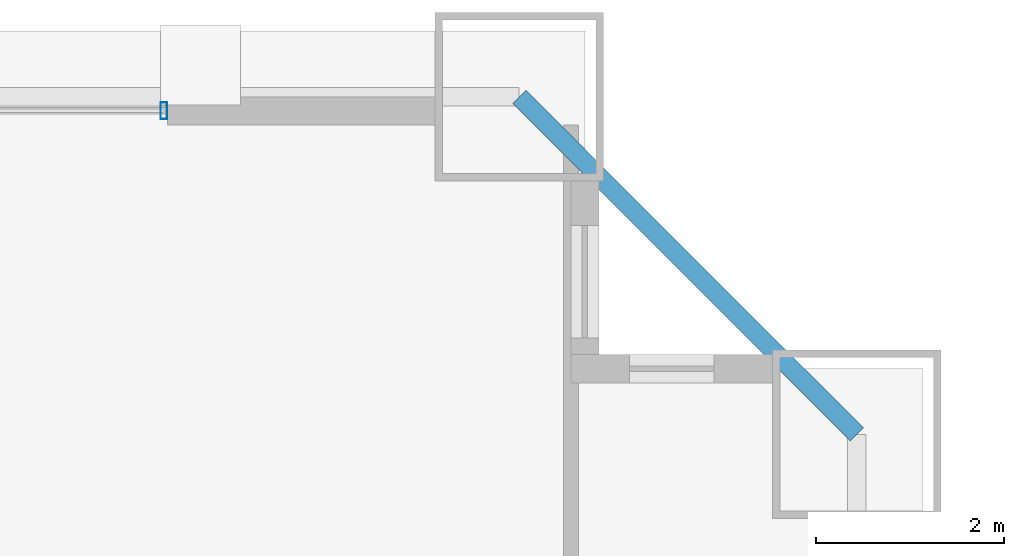
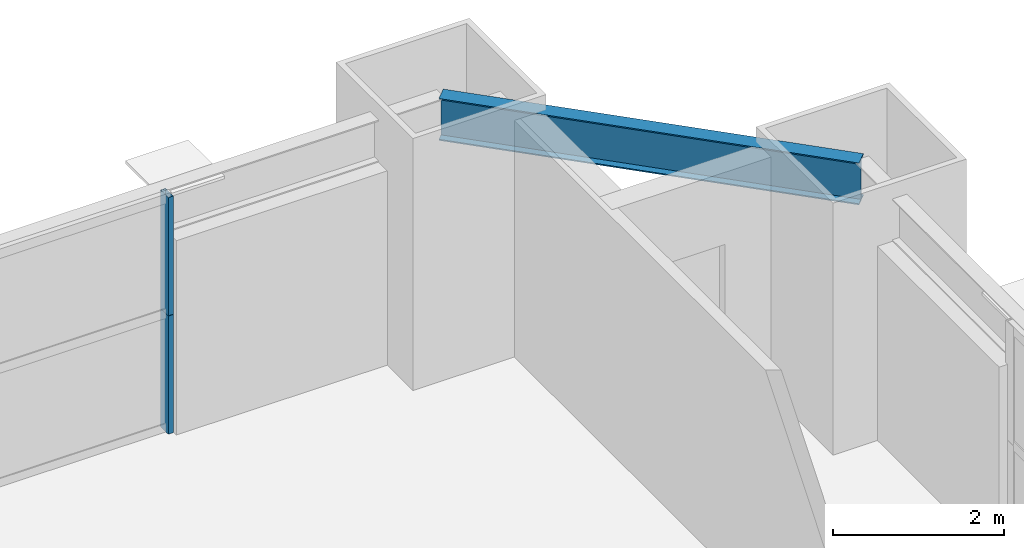
# One storey, part 36 of 43: 2 members, 1 beam, 1 element without a shape of its own.
"""IFC4 building model written with IfcOpenShell, lengths in metres."""

from ifc_helpers import new_model, si_unit, direction, frame, origin, origin_2d, place, context, subcontext, project, spatial, hollow_rectangle, i_section, extrude, source, transform, mapped, material, layer, layer_set, material_profile, profile_set, type_object, element, aggregate, save


model = new_model("IFC4")

# Units and contexts
model_context = context("Model", 3, precision=1e-05, world=origin(), true_north=direction((0.0, 1.0)))
body_context = subcontext(model_context, "Body", "Model", "MODEL_VIEW")
ifc_project = project(units=[si_unit("LENGTHUNIT", "METRE"), si_unit("AREAUNIT", "SQUARE_METRE"), si_unit("VOLUMEUNIT", "CUBIC_METRE"), si_unit("PLANEANGLEUNIT", "RADIAN"), si_unit("MASSUNIT", "GRAM", prefix="KILO"), si_unit("THERMODYNAMICTEMPERATUREUNIT", "KELVIN"), si_unit("POWERUNIT", "WATT")], contexts=[model_context])

# Site, building, storey
site_placement = place(None, origin())
site = spatial("IfcSite", under=ifc_project, at=site_placement, CompositionType="ELEMENT")
building_placement = place(site_placement, origin())
building = spatial("IfcBuilding", under=site, at=building_placement, Name="Yuzanri Waterfront Tower", CompositionType="ELEMENT")
storey_placement = place(building_placement, frame((0.0, 0.0, 71.199951171875)))
storey = spatial("IfcBuildingStorey", under=building, at=storey_placement, Name="L18", CompositionType="ELEMENT", Elevation=71.199951171875)

# Beam
ifc_material_1 = material(Name="Steel Q355B", Category="steel")
ifc_material_profile_1 = material_profile(ifc_material_1, i_section(OverallWidth=0.199951171875, OverallDepth=0.60009765625, WebThickness=0.010986328125, FlangeThickness=0.01708984375, at=origin_2d()), Name="HN 600x200x11x17")
ifc_profile_set_1 = profile_set([ifc_material_profile_1], Name="Steel Q355B")
beam_type = type_object("IfcBeamType", Name="Perimeter Spandrel Q355B HN 600x200", PredefinedType="SPANDREL", material=ifc_profile_set_1)
shared_shape_1 = source(origin(), body_context, "Body", "SweptSolid", [
    extrude(i_section(OverallWidth=0.199951171875, OverallDepth=0.60009765625, WebThickness=0.010986328125, FlangeThickness=0.01708984375, at=origin_2d()), origin(), (0.0, 0.0, 1.0), 5.091064453125),
])
beam_placement = place(storey_placement, frame((62.10009765625, 47.300048828125, 3.080078125), z_axis=(-0.707130757816, 0.707082803744, 0.0), x_axis=(-0.707082803744, -0.707130757816, 0.0)))
element("IfcBeam", 1, at=beam_placement, inside=storey, type_object=beam_type, Name="L18 Perimeter Spandrel E3-N3", PredefinedType="SPANDREL", context=body_context, shape_type="MappedRepresentation", body=[
    mapped(shared_shape_1, transform((0.0, 0.0, 0.0), scale=1.0)),
])

# Curtain wall, members
ifc_material_2 = material(Name="Anodized Architectural Bronze", Category="metal")
ifc_layer = layer(ifc_material_2, 0.159912109375)
ifc_layer_set = layer_set([ifc_layer], Name="Anodized Architectural Bronze")
curtain_wall_type = type_object("IfcCurtainWallType", Name="Anodized Bronze Hotel Lower-Tier Recessed Unitized Curtain Wall 8100", PredefinedType="NOTDEFINED", material=ifc_layer_set)
curtain_wall_placement = place(storey_placement, origin())
curtain_wall = element("IfcCurtainWall", 2, at=curtain_wall_placement, inside=storey, type_object=curtain_wall_type, Name="L18 Curtain Wall CW-L18-NR", PredefinedType="NOTDEFINED")
ifc_material_3 = material(Name="Anodized Architectural Bronze", Category="metal")
ifc_material_profile_2 = material_profile(ifc_material_3, hollow_rectangle(XDim=0.070068359375, YDim=0.179931640625, WallThickness=0.00390625, at=origin_2d()), Name="CWM 70x180")
ifc_profile_set_2 = profile_set([ifc_material_profile_2], Name="Anodized Architectural Bronze")
member_type = type_object("IfcMemberType", Name="Anodized Bronze Standard Curtain-Wall Mullion 70x180", PredefinedType="MULLION", material=ifc_profile_set_2)
shared_shape_2 = source(origin(), body_context, "Body", "SweptSolid", [
    extrude(hollow_rectangle(XDim=0.070068359375, YDim=0.179931640625, WallThickness=0.00390625, at=origin_2d()), origin(), (0.0, 0.0, 1.0), 1.68798828125),
])
member_1_placement = place(storey_placement, frame((54.7099609375, 50.75, 0.0), z_axis=(0.0, 0.0, 1.0), x_axis=(1.0, 0.0, 0.0)))
member_1 = element("IfcMember", 3, at=member_1_placement, type_object=member_type, Name="CW-L18-NR Lower Mullion 02", PredefinedType="MULLION", context=body_context, shape_type="MappedRepresentation", body=[
    mapped(shared_shape_2, transform((0.0, 0.0, 0.0), scale=1.0)),
])
member_2_placement = place(storey_placement, frame((54.7099609375, 50.75, 1.692138671875), z_axis=(0.0, 0.0, 1.0), x_axis=(1.0, 0.0, 0.0)))
member_2 = element("IfcMember", 4, at=member_2_placement, type_object=member_type, Name="CW-L18-NR Upper Mullion 02", PredefinedType="MULLION", context=body_context, shape_type="MappedRepresentation", body=[
    mapped(shared_shape_2, transform((0.0, 0.0, 0.0), scale=1.0)),
])
aggregate(curtain_wall, [member_1, member_2])

save(model, "model.ifc")
